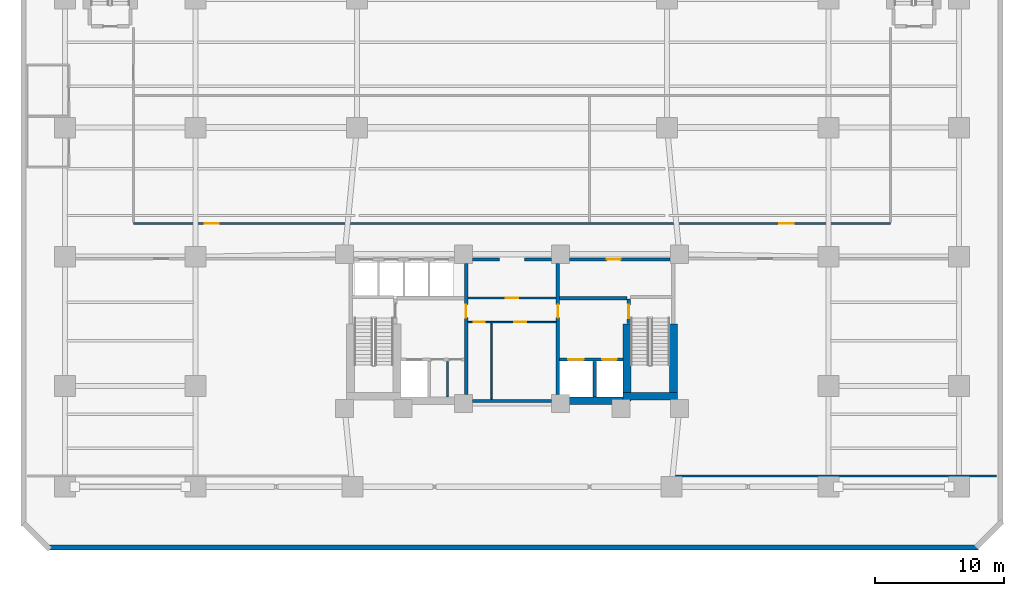
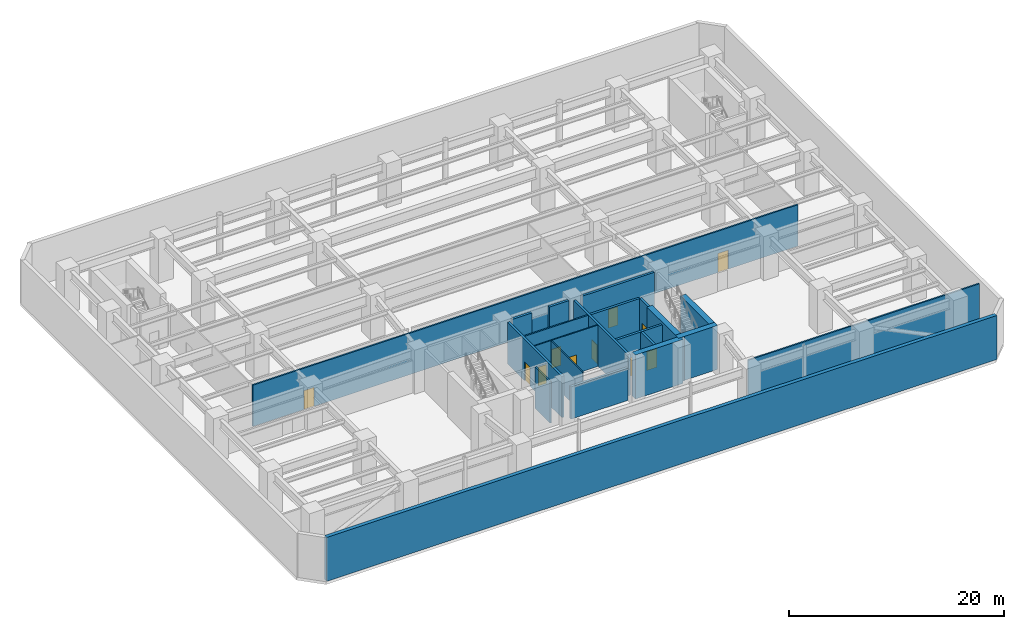
# One storey, part 7 of 12: 21 walls, 11 doors, 11 openings.
"""IFC4 building model written with IfcOpenShell, lengths in metres."""

from ifc_helpers import new_model, si_unit, direction, frame, frame_2d, origin, place, context, subcontext, project, spatial, rectangle, extrude, material, layer, layer_set, type_object, element, fill, save


model = new_model("IFC4")

# Units and contexts
model_context = context("Model", 3, precision=1e-05, world=origin(), true_north=direction((0.0, 1.0)))
body_context = subcontext(model_context, "Body", "Model", "MODEL_VIEW")
ifc_project = project(units=[si_unit("LENGTHUNIT", "METRE"), si_unit("AREAUNIT", "SQUARE_METRE"), si_unit("VOLUMEUNIT", "CUBIC_METRE"), si_unit("PLANEANGLEUNIT", "RADIAN"), si_unit("MASSUNIT", "GRAM", prefix="KILO")], contexts=[model_context])

# Site, building, storey
site_placement = place(None, origin())
site = spatial("IfcSite", under=ifc_project, at=site_placement, CompositionType="ELEMENT")
building_placement = place(site_placement, origin())
building = spatial("IfcBuilding", under=site, at=building_placement, Name="Quenlor Broadcast Tower", CompositionType="ELEMENT")
storey_placement = place(building_placement, frame((0.0, 0.0, -5.0)))
storey = spatial("IfcBuildingStorey", under=building, at=storey_placement, Name="B01", CompositionType="ELEMENT", Elevation=-5.0)

# Walls
ifc_material_1 = material(Name="Concrete C65/80", Category="concrete")
ifc_layer_1 = layer(ifc_material_1, 0.60009765625)
ifc_layer_set_1 = layer_set([ifc_layer_1], Name="Core Concrete C65/80 Shear Wall 600")
wall_type_1 = type_object("IfcWallType", Name="Core Concrete C65/80 Shear Wall 600", PredefinedType="SHEAR", material=ifc_layer_set_1)
wall_1_placement = place(storey_placement, frame((3.75, -16.14990234375, 0.0), z_axis=(0.0, 0.0, 1.0), x_axis=(1.0, 0.0, 0.0)))
element("IfcWall", 1, at=wall_1_placement, inside=storey, type_object=wall_type_1, Name="B01 Core Shear Wall WS-E1", PredefinedType="SHEAR", context=body_context, shape_type="SweptSolid", body=[
    extrude(rectangle(XDim=5.14990234375, YDim=0.60009765625, at=frame_2d((2.574951171875, 0.0))), origin(), (0.0, 0.0, 1.0), 5.0),
])
wall_2_placement = place(storey_placement, frame((8.60009765625, -15.800048828125, 0.0), z_axis=(0.0, 0.0, 1.0), x_axis=(1.0, 0.0, 0.0)))
element("IfcWall", 2, at=wall_2_placement, inside=storey, type_object=wall_type_1, Name="B01 Core Shear Wall WS-E2", PredefinedType="SHEAR", context=body_context, shape_type="SweptSolid", body=[
    extrude(rectangle(XDim=4.199951171875, YDim=0.60009765625, at=frame_2d((2.10009765625, 0.0))), origin(), (0.0, 0.0, 1.0), 5.0),
])
wall_3_placement = place(storey_placement, frame((12.5, -15.800048828125, 0.0), z_axis=(0.0, 0.0, 1.0), x_axis=(0.0, 1.0, 0.0)))
element("IfcWall", 3, at=wall_3_placement, inside=storey, type_object=wall_type_1, Name="B01 Core Shear Wall WF-E", PredefinedType="SHEAR", context=body_context, shape_type="SweptSolid", body=[
    extrude(rectangle(XDim=5.60009765625, YDim=0.60009765625, at=frame_2d((2.800048828125, 0.0))), origin(), (0.0, 0.0, 1.0), 5.0),
])
wall_4_placement = place(storey_placement, frame((8.89990234375, -16.14990234375, 0.0), z_axis=(0.0, 0.0, 1.0), x_axis=(0.0, 1.0, 0.0)))
element("IfcWall", 4, at=wall_4_placement, inside=storey, type_object=wall_type_1, Name="B01 Core Shear Wall WI-E", PredefinedType="SHEAR", context=body_context, shape_type="SweptSolid", body=[
    extrude(rectangle(XDim=5.949951171875, YDim=0.60009765625, at=frame_2d((2.97509765625, 0.0))), origin(), (0.0, 0.0, 1.0), 5.0),
])

# Wall, opening, door
ifc_material_2 = material(Name="Concrete C40/50", Category="concrete")
ifc_layer_2 = layer(ifc_material_2, 0.25)
ifc_layer_set_2 = layer_set([ifc_layer_2], Name="Fire Rated Concrete C40/50 Core Wall 250")
wall_type_2 = type_object("IfcWallType", Name="Fire Rated Concrete C40/50 Core Wall 250", PredefinedType="PARTITIONING", material=ifc_layer_set_2)
wall_5_placement = place(storey_placement, frame((9.0400390625, -10.179931640625, 0.0), z_axis=(0.0, 0.0, 1.0), x_axis=(0.0, 1.0, 0.0)))
wall_5 = element("IfcWall", 5, at=wall_5_placement, inside=storey, type_object=wall_type_2, Name="B01 Interior Wall CW-ST2-DR", PredefinedType="PARTITIONING", context=body_context, shape_type="SweptSolid", body=[
    extrude(rectangle(XDim=1.89990234375, YDim=0.25, at=frame_2d((0.949951171875, 0.0))), origin(), (0.0, 0.0, 1.0), 4.699951171875),
])
opening_1_placement = place(wall_5_placement, frame((0.419921875, 0.0, 0.0)))
opening_1 = element("IfcOpeningElement", 6, at=opening_1_placement, cuts=wall_5, Name="Opening FD-1", PredefinedType="OPENING", context=body_context, shape_type="SweptSolid", body=[
    extrude(rectangle(XDim=1.050048828125, YDim=2.14990234375, at=frame_2d((0.52490234375, 1.074951171875))), frame((0.0, 0.135009765625, 0.0), z_axis=(0.0, -1.0, 0.0), x_axis=(1.0, 0.0, 0.0)), (0.0, 0.0, 1.0), 0.27001953125),
])
ifc_material_3 = material(Name="Fire Rated Steel Door Leaf", Category="steel")
door_type_1 = type_object("IfcDoorType", Name="Fire Isolated Stair Door 1050x2150", OperationType="NOTDEFINED", PredefinedType="DOOR", material=ifc_material_3)
door_1_placement = place(opening_1_placement, origin())
door_1 = element("IfcDoor", 7, at=door_1_placement, inside=storey, type_object=door_type_1, Name="B01 Door DR-ST2", OperationType="SINGLE_SWING_RIGHT", OverallHeight=2.14990234375, OverallWidth=1.050048828125, PredefinedType="DOOR", context=body_context, shape_type="SweptSolid", body=[
    extrude(rectangle(XDim=1.050048828125, YDim=2.14990234375, at=frame_2d((0.52490234375, 1.074951171875))), frame((0.0, 0.02490234375, 0.0), z_axis=(0.0, -1.0, 0.0), x_axis=(1.0, 0.0, 0.0)), (0.0, 0.0, 1.0), 0.050048828125),
])
fill(opening_1, door_1)

# Wall, openings, doors
wall_6_placement = place(storey_placement, frame((3.679931640625, -12.949951171875, 0.0), z_axis=(0.0, 0.0, 1.0), x_axis=(1.0, 0.0, 0.0)))
wall_6 = element("IfcWall", 8, at=wall_6_placement, inside=storey, type_object=wall_type_2, Name="B01 Interior Wall CW-FFE-S", PredefinedType="PARTITIONING", context=body_context, shape_type="SweptSolid", body=[
    extrude(rectangle(XDim=4.91796875, YDim=0.25, at=frame_2d((2.458984375, 0.0))), origin(), (0.0, 0.0, 1.0), 4.699951171875),
])
opening_2_placement = place(wall_6_placement, frame((3.320068359375, 0.0, 0.0)))
opening_2 = element("IfcOpeningElement", 9, at=opening_2_placement, cuts=wall_6, Name="Opening LD-FFL-2", PredefinedType="OPENING", context=body_context, shape_type="SweptSolid", body=[
    extrude(rectangle(XDim=1.10009765625, YDim=2.14990234375, at=frame_2d((0.550048828125, 1.074951171875))), frame((0.0, 0.135009765625, 0.0), z_axis=(0.0, -1.0, 0.0), x_axis=(1.0, 0.0, 0.0)), (0.0, 0.0, 1.0), 0.27001953125),
])
opening_3_placement = place(wall_6_placement, frame((0.669921875, 0.0, 0.0)))
opening_3 = element("IfcOpeningElement", 10, at=opening_3_placement, cuts=wall_6, Name="Opening LD-SVL-1", PredefinedType="OPENING", context=body_context, shape_type="SweptSolid", body=[
    extrude(rectangle(XDim=1.199951171875, YDim=2.14990234375, at=frame_2d((0.60009765625, 1.074951171875))), frame((0.0, 0.135009765625, 0.0), z_axis=(0.0, -1.0, 0.0), x_axis=(1.0, 0.0, 0.0)), (0.0, 0.0, 1.0), 0.27001953125),
])
ifc_material_4 = material(Name="Brushed Stainless Steel", Category="steel")
door_type_2 = type_object("IfcDoorType", Name="Emergency Lift Sliding Landing Door 1100x2150", OperationType="NOTDEFINED", PredefinedType="DOOR", material=ifc_material_4)
door_2_placement = place(opening_2_placement, origin())
door_2 = element("IfcDoor", 11, at=door_2_placement, inside=storey, type_object=door_type_2, Name="B01 Door LD-FFL-2", OperationType="SLIDING_TO_RIGHT", OverallHeight=2.14990234375, OverallWidth=1.10009765625, PredefinedType="DOOR", context=body_context, shape_type="SweptSolid", body=[
    extrude(rectangle(XDim=1.10009765625, YDim=2.14990234375, at=frame_2d((0.550048828125, 1.074951171875))), frame((0.0, 0.02490234375, 0.0), z_axis=(0.0, -1.0, 0.0), x_axis=(1.0, 0.0, 0.0)), (0.0, 0.0, 1.0), 0.050048828125),
])
fill(opening_2, door_2)
ifc_material_5 = material(Name="Brushed Stainless Steel", Category="steel")
door_type_3 = type_object("IfcDoorType", Name="Goods Lift Sliding Landing Door 1200x2150", OperationType="NOTDEFINED", PredefinedType="DOOR", material=ifc_material_5)
door_3_placement = place(opening_3_placement, origin())
door_3 = element("IfcDoor", 12, at=door_3_placement, inside=storey, type_object=door_type_3, Name="B01 Door LD-SVL-1", OperationType="SLIDING_TO_LEFT", OverallHeight=2.14990234375, OverallWidth=1.199951171875, PredefinedType="DOOR", context=body_context, shape_type="SweptSolid", body=[
    extrude(rectangle(XDim=1.199951171875, YDim=2.14990234375, at=frame_2d((0.60009765625, 1.074951171875))), frame((0.0, 0.02490234375, 0.0), z_axis=(0.0, -1.0, 0.0), x_axis=(1.0, 0.0, 0.0)), (0.0, 0.0, 1.0), 0.050048828125),
])
fill(opening_3, door_3)

# Walls
wall_7_placement = place(storey_placement, frame((6.39990234375, -15.847900390625, 0.0), z_axis=(0.0, 0.0, 1.0), x_axis=(0.0, 1.0, 0.0)))
element("IfcWall", 13, at=wall_7_placement, inside=storey, type_object=wall_type_2, Name="B01 Interior Wall CW-SV1-E", PredefinedType="PARTITIONING", context=body_context, shape_type="SweptSolid", body=[
    extrude(rectangle(XDim=2.7578125, YDim=0.25, at=frame_2d((1.37890625, 0.0))), origin(), (0.0, 0.0, 1.0), 4.699951171875),
])
wall_8_placement = place(storey_placement, frame((3.679931640625, -8.199951171875, 0.0), z_axis=(0.0, 0.0, 1.0), x_axis=(1.0, 0.0, 0.0)))
element("IfcWall", 14, at=wall_8_placement, inside=storey, type_object=wall_type_2, Name="B01 Interior Wall CW-FFE-N", PredefinedType="PARTITIONING", context=body_context, shape_type="SweptSolid", body=[
    extrude(rectangle(XDim=5.239990234375, YDim=0.25, at=frame_2d((2.6201171875, 0.0))), origin(), (0.0, 0.0, 1.0), 4.699951171875),
])

# Wall, opening, door
wall_9_placement = place(storey_placement, frame((-3.550048828125, -15.64794921875, 0.0), z_axis=(0.0, 0.0, 1.0), x_axis=(0.0, 1.0, 0.0)))
wall_9 = element("IfcWall", 15, at=wall_9_placement, inside=storey, type_object=wall_type_2, Name="B01 Interior Wall CW-FFW-E", PredefinedType="PARTITIONING", context=body_context, shape_type="SweptSolid", body=[
    extrude(rectangle(XDim=10.14599609375, YDim=0.25, at=frame_2d((5.072998046875, 0.0))), origin(), (0.0, 0.0, 1.0), 4.699951171875),
])
opening_4_placement = place(wall_9_placement, frame((5.947998046875, 0.0, 0.0)))
opening_4 = element("IfcOpeningElement", 16, at=opening_4_placement, cuts=wall_9, Name="Opening FD-2", PredefinedType="OPENING", context=body_context, shape_type="SweptSolid", body=[
    extrude(rectangle(XDim=1.0, YDim=2.14990234375, at=frame_2d((0.5, 1.074951171875))), frame((0.0, 0.135009765625, 0.0), z_axis=(0.0, -1.0, 0.0), x_axis=(1.0, 0.0, 0.0)), (0.0, 0.0, 1.0), 0.27001953125),
])
ifc_material_6 = material(Name="Fire Rated Glazed Steel Door", Category="steel")
door_type_4 = type_object("IfcDoorType", Name="Firefighting Lobby Smoke Door 1000x2150", OperationType="NOTDEFINED", PredefinedType="DOOR", material=ifc_material_6)
door_4_placement = place(opening_4_placement, origin())
door_4 = element("IfcDoor", 17, at=door_4_placement, inside=storey, type_object=door_type_4, Name="B01 Door DR-FFLW", OperationType="SINGLE_SWING_RIGHT", OverallHeight=2.14990234375, OverallWidth=1.0, PredefinedType="DOOR", context=body_context, shape_type="SweptSolid", body=[
    extrude(rectangle(XDim=1.0, YDim=2.14990234375, at=frame_2d((0.5, 1.074951171875))), frame((0.0, 0.02490234375, 0.0), z_axis=(0.0, -1.0, 0.0), x_axis=(1.0, 0.0, 0.0)), (0.0, 0.0, 1.0), 0.050048828125),
])
fill(opening_4, door_4)

wall_10_placement = place(storey_placement, frame((3.550048828125, -15.64794921875, 0.0), z_axis=(0.0, 0.0, 1.0), x_axis=(0.0, 1.0, 0.0)))
wall_10 = element("IfcWall", 18, at=wall_10_placement, inside=storey, type_object=wall_type_2, Name="B01 Interior Wall CW-FFE-W", PredefinedType="PARTITIONING", context=body_context, shape_type="SweptSolid", body=[
    extrude(rectangle(XDim=10.14599609375, YDim=0.25, at=frame_2d((5.072998046875, 0.0))), origin(), (0.0, 0.0, 1.0), 4.699951171875),
])
opening_5_placement = place(wall_10_placement, frame((5.947998046875, 0.0, 0.0)))
opening_5 = element("IfcOpeningElement", 19, at=opening_5_placement, cuts=wall_10, Name="Opening FD-2", PredefinedType="OPENING", context=body_context, shape_type="SweptSolid", body=[
    extrude(rectangle(XDim=1.0, YDim=2.14990234375, at=frame_2d((0.5, 1.074951171875))), frame((0.0, 0.135009765625, 0.0), z_axis=(0.0, -1.0, 0.0), x_axis=(1.0, 0.0, 0.0)), (0.0, 0.0, 1.0), 0.27001953125),
])
door_5_placement = place(opening_5_placement, origin())
door_5 = element("IfcDoor", 20, at=door_5_placement, inside=storey, type_object=door_type_4, Name="B01 Door DR-FFLE", OperationType="SINGLE_SWING_LEFT", OverallHeight=2.14990234375, OverallWidth=1.0, PredefinedType="DOOR", context=body_context, shape_type="SweptSolid", body=[
    extrude(rectangle(XDim=1.0, YDim=2.14990234375, at=frame_2d((0.5, 1.074951171875))), frame((0.0, 0.02490234375, 0.0), z_axis=(0.0, -1.0, 0.0), x_axis=(1.0, 0.0, 0.0)), (0.0, 0.0, 1.0), 0.050048828125),
])
fill(opening_5, door_5)

wall_11_placement = place(storey_placement, frame((4.451904296875, -5.199951171875, 0.0), z_axis=(0.0, 0.0, 1.0), x_axis=(1.0, 0.0, 0.0)))
wall_11 = element("IfcWall", 21, at=wall_11_placement, inside=storey, type_object=wall_type_2, Name="B01 Interior Wall CW-N-E", PredefinedType="PARTITIONING", context=body_context, shape_type="SweptSolid", body=[
    extrude(rectangle(XDim=7.796142578125, YDim=0.25, at=frame_2d((3.89794921875, 0.0))), origin(), (0.0, 0.0, 1.0), 4.699951171875),
])
opening_6_placement = place(wall_11_placement, frame((2.89794921875, 0.0, 0.0)))
opening_6 = element("IfcOpeningElement", 22, at=opening_6_placement, cuts=wall_11, Name="Opening FD-3", PredefinedType="OPENING", context=body_context, shape_type="SweptSolid", body=[
    extrude(rectangle(XDim=1.050048828125, YDim=2.1201171875, at=frame_2d((0.52490234375, 1.06005859375))), frame((0.0, 0.135009765625, 0.0), z_axis=(0.0, -1.0, 0.0), x_axis=(1.0, 0.0, 0.0)), (0.0, 0.0, 1.0), 0.27001953125),
])
ifc_material_7 = material(Name="Galvanised Fire Steel Leaf", Category="steel")
door_type_5 = type_object("IfcDoorType", Name="Plant Room Fire Rated Door 1050x2120", OperationType="NOTDEFINED", PredefinedType="DOOR", material=ifc_material_7)
door_6_placement = place(opening_6_placement, origin())
door_6 = element("IfcDoor", 23, at=door_6_placement, inside=storey, type_object=door_type_5, Name="B01 Door DR-RCH1", OperationType="SINGLE_SWING_RIGHT", OverallHeight=2.1201171875, OverallWidth=1.050048828125, PredefinedType="DOOR", context=body_context, shape_type="SweptSolid", body=[
    extrude(rectangle(XDim=1.050048828125, YDim=2.1201171875, at=frame_2d((0.52490234375, 1.06005859375))), frame((0.0, 0.02490234375, 0.0), z_axis=(0.0, -1.0, 0.0), x_axis=(1.0, 0.0, 0.0)), (0.0, 0.0, 1.0), 0.050048828125),
])
fill(opening_6, door_6)

# Walls
for number, where, z_axis, x_axis, name in (
    (24, (-3.048095703125, -5.199951171875, 0.0), (0.0, 0.0, 1.0), (1.0, 0.0, 0.0), "B01 Interior Wall CW-N-M1"),
    (25, (0.949951171875, -5.199951171875, 0.0), (0.0, 0.0, 1.0), (1.0, 0.0, 0.0), "B01 Interior Wall CW-N-M2"),
):
    element("IfcWall", number, at=place(storey_placement, frame(where, z_axis=z_axis, x_axis=x_axis)), inside=storey, type_object=wall_type_2, Name=name, PredefinedType="PARTITIONING", context=body_context, shape_type="SweptSolid", body=[
        extrude(rectangle(XDim=2.09814453125, YDim=0.25, at=frame_2d((1.049072265625, 0.0))), origin(), (0.0, 0.0, 1.0), 4.699951171875),
    ])
wall_12_placement = place(storey_placement, frame((-3.048095703125, -16.14990234375, 0.0), z_axis=(0.0, 0.0, 1.0), x_axis=(1.0, 0.0, 0.0)))
element("IfcWall", 26, at=wall_12_placement, inside=storey, type_object=wall_type_2, Name="B01 Interior Wall CW-MS-S", PredefinedType="PARTITIONING", context=body_context, shape_type="SweptSolid", body=[
    extrude(rectangle(XDim=6.09619140625, YDim=0.25, at=frame_2d((3.048095703125, 0.0))), origin(), (0.0, 0.0, 1.0), 3.676025390625),
])
ifc_material_8 = material(Name="Gypsum Fireboard Partition", Category="other")
ifc_layer_3 = layer(ifc_material_8, 0.159912109375)
ifc_layer_set_3 = layer_set([ifc_layer_3], Name="Fire Rated Shaft and Corridor Partition 160")
wall_type_3 = type_object("IfcWallType", Name="Fire Rated Shaft and Corridor Partition 160", PredefinedType="PARTITIONING", material=ifc_layer_set_3)
wall_13_placement = place(storey_placement, frame((-4.97998046875, -15.847900390625, 0.0), z_axis=(0.0, 0.0, 1.0), x_axis=(0.0, 1.0, 0.0)))
element("IfcWall", 27, at=wall_13_placement, inside=storey, type_object=wall_type_3, Name="B01 Interior Wall CW-ELR-E", PredefinedType="PARTITIONING", context=body_context, shape_type="SweptSolid", body=[
    extrude(rectangle(XDim=2.7578125, YDim=0.159912109375, at=frame_2d((1.37890625, 0.0))), origin(), (0.0, 0.0, 1.0), 4.699951171875),
])

# Wall, opening, door
wall_14_placement = place(storey_placement, frame((-3.419921875, -8.199951171875, 0.0), z_axis=(0.0, 0.0, 1.0), x_axis=(1.0, 0.0, 0.0)))
wall_14 = element("IfcWall", 28, at=wall_14_placement, inside=storey, type_object=wall_type_3, Name="B01 Interior Wall CW-M-BACK", PredefinedType="PARTITIONING", context=body_context, shape_type="SweptSolid", body=[
    extrude(rectangle(XDim=6.83984375, YDim=0.159912109375, at=frame_2d((3.419921875, 0.0))), origin(), (0.0, 0.0, 1.0), 4.699951171875),
])
opening_7_placement = place(wall_14_placement, frame((2.919921875, 0.0, 0.0)))
opening_7 = element("IfcOpeningElement", 29, at=opening_7_placement, cuts=wall_14, Name="Opening FD-2", PredefinedType="OPENING", context=body_context, shape_type="SweptSolid", body=[
    extrude(rectangle(XDim=1.0, YDim=2.14990234375, at=frame_2d((0.5, 1.074951171875))), frame((0.0, 0.08984375, 0.0), z_axis=(0.0, -1.0, 0.0), x_axis=(1.0, 0.0, 0.0)), (0.0, 0.0, 1.0), 0.179931640625),
])
door_7_placement = place(opening_7_placement, origin())
door_7 = element("IfcDoor", 30, at=door_7_placement, inside=storey, type_object=door_type_4, Name="B01 Door DR-CCRP", OperationType="SINGLE_SWING_LEFT", OverallHeight=2.14990234375, OverallWidth=1.0, PredefinedType="DOOR", context=body_context, shape_type="SweptSolid", body=[
    extrude(rectangle(XDim=1.0, YDim=2.14990234375, at=frame_2d((0.5, 1.074951171875))), frame((0.0, 0.02490234375, 0.0), z_axis=(0.0, -1.0, 0.0), x_axis=(1.0, 0.0, 0.0)), (0.0, 0.0, 1.0), 0.050048828125),
])
fill(opening_7, door_7)

# Wall
wall_15_placement = place(storey_placement, frame((12.64990234375, -21.97998046875, 0.0), z_axis=(0.0, 0.0, 1.0), x_axis=(1.0, 0.0, 0.0)))
element("IfcWall", 31, at=wall_15_placement, inside=storey, type_object=wall_type_3, Name="B01 Interior Wall PW-BM-BSE", PredefinedType="PARTITIONING", context=body_context, shape_type="SweptSolid", body=[
    extrude(rectangle(XDim=24.85009765625, YDim=0.159912109375, at=frame_2d((12.425048828125, 0.0))), origin(), (0.0, 0.0, 1.0), 4.699951171875),
])

# Wall, openings, doors
wall_16_placement = place(storey_placement, frame((-29.300048828125, -2.419921875, 0.0), z_axis=(0.0, 0.0, 1.0), x_axis=(1.0, 0.0, 0.0)))
wall_16 = element("IfcWall", 32, at=wall_16_placement, inside=storey, type_object=wall_type_3, Name="B01 Interior Wall PW-PD-CN", PredefinedType="PARTITIONING", context=body_context, shape_type="SweptSolid", body=[
    extrude(rectangle(XDim=58.60009765625, YDim=0.159912109375, at=frame_2d((29.300048828125, 0.0))), origin(), (0.0, 0.0, 1.0), 4.699951171875),
])
opening_8_placement = place(wall_16_placement, frame((5.5, 0.0, 0.0)))
opening_8 = element("IfcOpeningElement", 33, at=opening_8_placement, cuts=wall_16, Name="Opening ID-2", PredefinedType="OPENING", context=body_context, shape_type="SweptSolid", body=[
    extrude(rectangle(XDim=1.10009765625, YDim=2.14990234375, at=frame_2d((0.550048828125, 1.074951171875))), frame((0.0, 0.08984375, 0.0), z_axis=(0.0, -1.0, 0.0), x_axis=(1.0, 0.0, 0.0)), (0.0, 0.0, 1.0), 0.179931640625),
])
opening_9_placement = place(wall_16_placement, frame((50.0, 0.0, 0.0)))
opening_9 = element("IfcOpeningElement", 34, at=opening_9_placement, cuts=wall_16, Name="Opening ID-2", PredefinedType="OPENING", context=body_context, shape_type="SweptSolid", body=[
    extrude(rectangle(XDim=1.10009765625, YDim=2.14990234375, at=frame_2d((0.550048828125, 1.074951171875))), frame((0.0, 0.08984375, 0.0), z_axis=(0.0, -1.0, 0.0), x_axis=(1.0, 0.0, 0.0)), (0.0, 0.0, 1.0), 0.179931640625),
])
ifc_material_9 = material(Name="Acoustic Laminated Timber Oak", Category="wood")
door_type_6 = type_object("IfcDoorType", Name="Wide Studio Acoustic Timber Door 1100x2150", OperationType="NOTDEFINED", PredefinedType="DOOR", material=ifc_material_9)
door_8_placement = place(opening_8_placement, origin())
door_8 = element("IfcDoor", 35, at=door_8_placement, inside=storey, type_object=door_type_6, Name="B01 Door DR-PD3", OperationType="SINGLE_SWING_LEFT", OverallHeight=2.14990234375, OverallWidth=1.10009765625, PredefinedType="DOOR", context=body_context, shape_type="SweptSolid", body=[
    extrude(rectangle(XDim=1.10009765625, YDim=2.14990234375, at=frame_2d((0.550048828125, 1.074951171875))), frame((0.0, 0.02490234375, 0.0), z_axis=(0.0, -1.0, 0.0), x_axis=(1.0, 0.0, 0.0)), (0.0, 0.0, 1.0), 0.050048828125),
])
fill(opening_8, door_8)
door_9_placement = place(opening_9_placement, origin())
door_9 = element("IfcDoor", 36, at=door_9_placement, inside=storey, type_object=door_type_6, Name="B01 Door DR-PD4", OperationType="SINGLE_SWING_RIGHT", OverallHeight=2.14990234375, OverallWidth=1.10009765625, PredefinedType="DOOR", context=body_context, shape_type="SweptSolid", body=[
    extrude(rectangle(XDim=1.10009765625, YDim=2.14990234375, at=frame_2d((0.550048828125, 1.074951171875))), frame((0.0, 0.02490234375, 0.0), z_axis=(0.0, -1.0, 0.0), x_axis=(1.0, 0.0, 0.0)), (0.0, 0.0, 1.0), 0.050048828125),
])
fill(opening_9, door_9)

ifc_material_10 = material(Name="Gypsum Plasterboard Partition", Category="other")
ifc_layer_4 = layer(ifc_material_10, 0.1201171875)
ifc_layer_set_4 = layer_set([ifc_layer_4], Name="Standard Office Partition 120")
wall_type_4 = type_object("IfcWallType", Name="Standard Office Partition 120", PredefinedType="PARTITIONING", material=ifc_layer_set_4)
wall_17_placement = place(storey_placement, frame((-3.419921875, -10.050048828125, 0.0), z_axis=(0.0, 0.0, 1.0), x_axis=(1.0, 0.0, 0.0)))
wall_17 = element("IfcWall", 37, at=wall_17_placement, inside=storey, type_object=wall_type_4, Name="B01 Interior Wall CW-MS-N", PredefinedType="PARTITIONING", context=body_context, shape_type="SweptSolid", body=[
    extrude(rectangle(XDim=6.83984375, YDim=0.1201171875, at=frame_2d((3.419921875, 0.0))), origin(), (0.0, 0.0, 1.0), 4.699951171875),
])
opening_10_placement = place(wall_17_placement, frame((0.449951171875, 0.0, 0.0)))
opening_10 = element("IfcOpeningElement", 38, at=opening_10_placement, cuts=wall_17, Name="Opening ID-4", PredefinedType="OPENING", context=body_context, shape_type="SweptSolid", body=[
    extrude(rectangle(XDim=0.8798828125, YDim=2.1201171875, at=frame_2d((0.43994140625, 1.06005859375))), frame((0.0, 0.070068359375, 0.0), z_axis=(0.0, -1.0, 0.0), x_axis=(1.0, 0.0, 0.0)), (0.0, 0.0, 1.0), 0.14013671875),
])
opening_11_placement = place(wall_17_placement, frame((3.60009765625, 0.0, 0.0)))
opening_11 = element("IfcOpeningElement", 39, at=opening_11_placement, cuts=wall_17, Name="Opening ID-1", PredefinedType="OPENING", context=body_context, shape_type="SweptSolid", body=[
    extrude(rectangle(XDim=0.919921875, YDim=2.1201171875, at=frame_2d((0.4599609375, 1.06005859375))), frame((0.0, 0.070068359375, 0.0), z_axis=(0.0, -1.0, 0.0), x_axis=(1.0, 0.0, 0.0)), (0.0, 0.0, 1.0), 0.14013671875),
])
ifc_material_11 = material(Name="Solid Core Timber Oak", Category="wood")
door_type_7 = type_object("IfcDoorType", Name="Service Closet Timber Door 880x2120", OperationType="NOTDEFINED", PredefinedType="DOOR", material=ifc_material_11)
door_10_placement = place(opening_10_placement, origin())
door_10 = element("IfcDoor", 40, at=door_10_placement, inside=storey, type_object=door_type_7, Name="B01 Door DR-RCMA", OperationType="SINGLE_SWING_LEFT", OverallHeight=2.1201171875, OverallWidth=0.8798828125, PredefinedType="DOOR", context=body_context, shape_type="SweptSolid", body=[
    extrude(rectangle(XDim=0.8798828125, YDim=2.1201171875, at=frame_2d((0.43994140625, 1.06005859375))), frame((0.0, 0.02490234375, 0.0), z_axis=(0.0, -1.0, 0.0), x_axis=(1.0, 0.0, 0.0)), (0.0, 0.0, 1.0), 0.050048828125),
])
fill(opening_10, door_10)
ifc_material_12 = material(Name="Solid Core Timber Oak", Category="wood")
door_type_8 = type_object("IfcDoorType", Name="Single Leaf Timber Office Door 920x2120", OperationType="NOTDEFINED", PredefinedType="DOOR", material=ifc_material_12)
door_11_placement = place(opening_11_placement, origin())
door_11 = element("IfcDoor", 41, at=door_11_placement, inside=storey, type_object=door_type_8, Name="B01 Door DR-RCMB", OperationType="SINGLE_SWING_RIGHT", OverallHeight=2.1201171875, OverallWidth=0.919921875, PredefinedType="DOOR", context=body_context, shape_type="SweptSolid", body=[
    extrude(rectangle(XDim=0.919921875, YDim=2.1201171875, at=frame_2d((0.4599609375, 1.06005859375))), frame((0.0, 0.02490234375, 0.0), z_axis=(0.0, -1.0, 0.0), x_axis=(1.0, 0.0, 0.0)), (0.0, 0.0, 1.0), 0.050048828125),
])
fill(opening_11, door_11)

# Walls
wall_18_placement = place(storey_placement, frame((-1.60009765625, -16.02001953125, 0.0), z_axis=(0.0, 0.0, 1.0), x_axis=(0.0, 1.0, 0.0)))
element("IfcWall", 42, at=wall_18_placement, inside=storey, type_object=wall_type_4, Name="B01 Interior Wall CW-RCM-X1", PredefinedType="PARTITIONING", context=body_context, shape_type="SweptSolid", body=[
    extrude(rectangle(XDim=5.89013671875, YDim=0.1201171875, at=frame_2d((2.945068359375, 0.0))), origin(), (0.0, 0.0, 1.0), 4.699951171875),
])
ifc_material_13 = material(Name="Concrete C50/60", Category="concrete")
ifc_layer_5 = layer(ifc_material_13, 0.39990234375)
ifc_layer_set_5 = layer_set([ifc_layer_5], Name="Upper Basement Concrete C50/60 Retaining Wall 400")
wall_type_5 = type_object("IfcWallType", Name="Upper Basement Concrete C50/60 Retaining Wall 400", PredefinedType="USERDEFINED", material=ifc_layer_set_5)
wall_19_placement = place(storey_placement, frame((36.1171875, -27.5, 0.0), z_axis=(0.0, 0.0, 1.0), x_axis=(-1.0, 0.0, 0.0)))
element("IfcWall", 43, at=wall_19_placement, inside=storey, type_object=wall_type_5, Name="B01 Perimeter Retaining Wall 8", ObjectType="RETAININGWALL", PredefinedType="USERDEFINED", context=body_context, shape_type="SweptSolid", body=[
    extrude(rectangle(XDim=72.034423828125, YDim=0.39990234375, at=frame_2d((36.01708984375, 0.0))), origin(), (0.0, 0.0, 1.0), 5.0),
])

save(model, "model.ifc")
